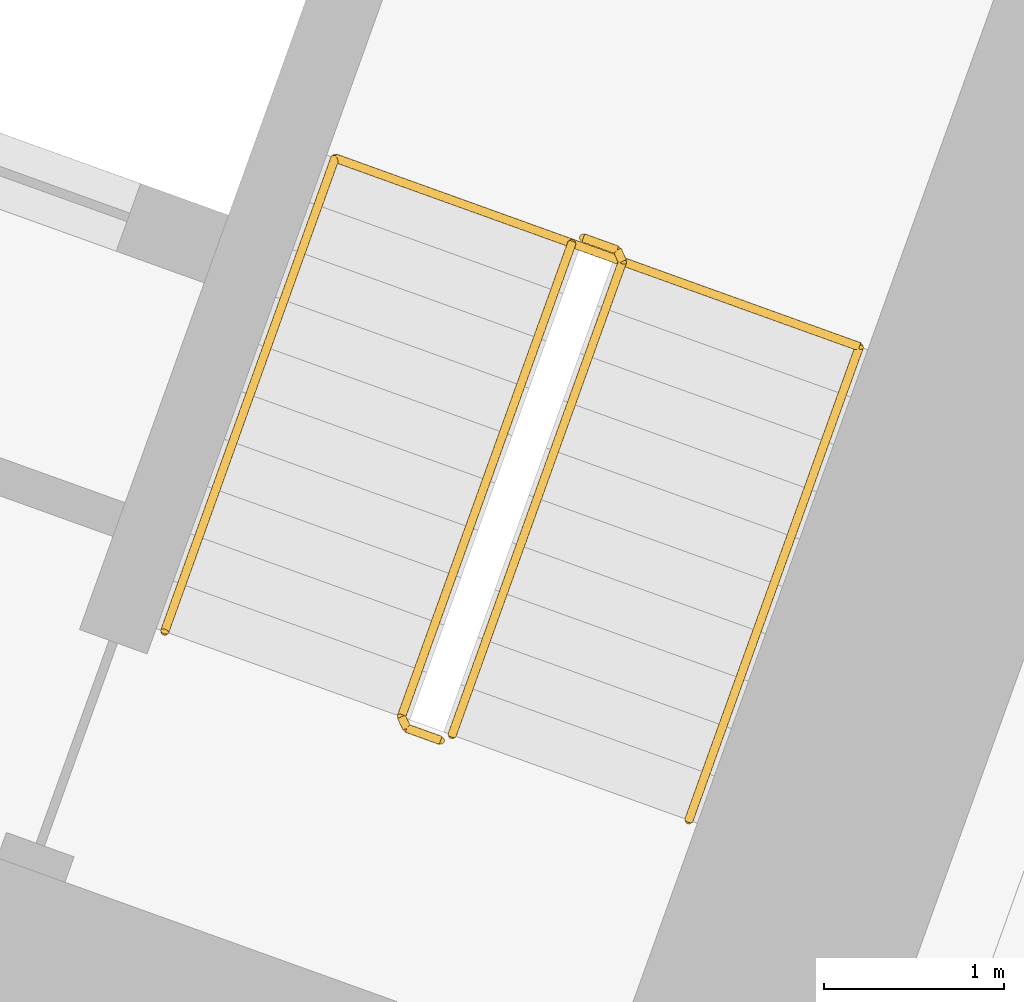
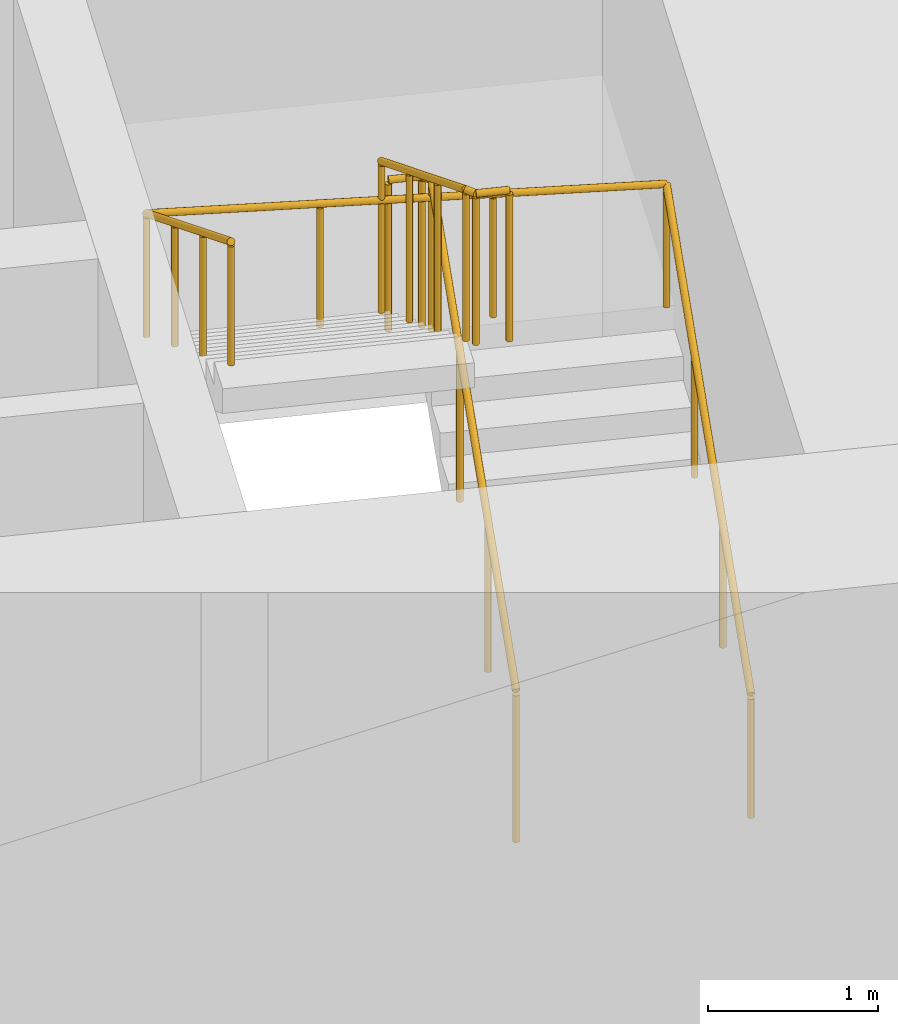
# One storey, part 22 of 22: 3 railings.
"""IFC4 building model written with IfcOpenShell, lengths in metres."""

from ifc_helpers import new_model, si_unit, direction, frame, origin, origin_2d, place, context, subcontext, project, spatial, circle, extrude, material, type_object, element, save


model = new_model("IFC4")

# Units and contexts
model_context = context("Model", 3, precision=1e-05, world=origin(), true_north=direction((0.0, 1.0)))
body_context = subcontext(model_context, "Body", "Model", "MODEL_VIEW")
ifc_project = project(units=[si_unit("LENGTHUNIT", "METRE"), si_unit("AREAUNIT", "SQUARE_METRE"), si_unit("VOLUMEUNIT", "CUBIC_METRE"), si_unit("PLANEANGLEUNIT", "RADIAN"), si_unit("MASSUNIT", "GRAM", prefix="KILO")], contexts=[model_context])

# Site, building, storey
site_placement = place(None, origin())
site = spatial("IfcSite", under=ifc_project, at=site_placement, CompositionType="ELEMENT")
building_placement = place(site_placement, origin())
building = spatial("IfcBuilding", under=site, at=building_placement, Name="Stone Belt Terrace Tower", CompositionType="ELEMENT")
storey_placement = place(building_placement, frame((0.0, 0.0, 132.60009765625)))
storey = spatial("IfcBuildingStorey", under=building, at=storey_placement, Name="L32", CompositionType="ELEMENT", Elevation=132.60009765625)

# Railings
ifc_material = material(Name="Structural steel C345", Category="steel")
railing_type_1 = type_object("IfcRailingType", Name="Stair guard 1100", PredefinedType="GUARDRAIL", material=ifc_material)
railing_1_placement = place(storey_placement, frame((24.494140625, 45.174560546875, 0.172607421875)))
element("IfcRailing", 1, at=railing_1_placement, inside=storey, type_object=railing_type_1, Name="L32 ST1B stair guard 1", PredefinedType="GUARDRAIL", context=body_context, shape_type="SweptSolid", body=[
    extrude(circle(Radius=0.02392578125, at=origin_2d()), frame((0.0, 0.0, 1.076171875), z_axis=(0.288228637646, 0.800791768495, 0.525030280985), x_axis=(-0.940908529223, 0.338660803216, 0.0)), (0.0, 0.0, 1.0), 3.289794921875),
    extrude(circle(Radius=0.02392578125, at=origin_2d()), frame((0.9482421875, 2.634521484375, 2.80322265625), z_axis=(-0.424964916, 0.905209821074, 0.0), x_axis=(-0.905209821074, -0.424964916, 0.0)), (0.0, 0.0, 1.0), 0.070556640625),
    extrude(circle(Radius=0.02392578125, at=origin_2d()), frame((0.918212890625, 2.698486328125, 2.80322265625), z_axis=(-0.941105063269, 0.338114270461, 0.0), x_axis=(-0.338114270461, -0.941105063269, 0.0)), (0.0, 0.0, 1.0), 0.199951171875),
    extrude(circle(Radius=0.02099609375, at=origin_2d()), origin(), (0.0, 0.0, 1.0), 1.052001953125),
    extrude(circle(Radius=0.02099609375, at=origin_2d()), frame((0.316162109375, 0.878173828125, 0.57568359375)), (0.0, 0.0, 1.0), 1.052001953125),
    extrude(circle(Radius=0.02099609375, at=origin_2d()), frame((0.632080078125, 1.75634765625, 1.151611328125)), (0.0, 0.0, 1.0), 1.052001953125),
    extrude(circle(Radius=0.02099609375, at=origin_2d()), frame((0.9482421875, 2.634521484375, 1.727294921875)), (0.0, 0.0, 1.0), 1.052001953125),
    extrude(circle(Radius=0.02099609375, at=origin_2d()), frame((0.918212890625, 2.698486328125, 1.727294921875)), (0.0, 0.0, 1.0), 1.052001953125),
    extrude(circle(Radius=0.02099609375, at=origin_2d()), frame((0.72998046875, 2.76611328125, 1.727294921875)), (0.0, 0.0, 1.0), 1.052001953125),
])
railing_2_placement = place(storey_placement, frame((25.16015625, 47.91064453125, 2.072509765625)))
element("IfcRailing", 2, at=railing_2_placement, inside=storey, type_object=railing_type_1, Name="L32 ST1B stair guard 2", PredefinedType="GUARDRAIL", context=body_context, shape_type="SweptSolid", body=[
    extrude(circle(Radius=0.02392578125, at=origin_2d()), frame((0.0, 0.0, 1.076171875), z_axis=(-0.288228637646, -0.800791768495, 0.525030280985), x_axis=(0.940908529223, -0.338660803216, 0.0)), (0.0, 0.0, 1.0), 3.289794921875),
    extrude(circle(Radius=0.02392578125, at=origin_2d()), frame((-0.9482421875, -2.634521484375, 2.80322265625), z_axis=(0.427789722475, -0.903878284585, 0.0), x_axis=(0.903878284585, 0.427789722475, 0.0)), (0.0, 0.0, 1.0), 0.07080078125),
    extrude(circle(Radius=0.02392578125, at=origin_2d()), frame((-0.91796875, -2.698486328125, 2.80322265625), z_axis=(0.940575576748, -0.339584429008, 0.0), x_axis=(0.339584429008, 0.940575576748, 0.0)), (0.0, 0.0, 1.0), 0.199951171875),
    extrude(circle(Radius=0.02099609375, at=origin_2d()), origin(), (0.0, 0.0, 1.0), 1.052001953125),
    extrude(circle(Radius=0.02099609375, at=origin_2d()), frame((-0.316162109375, -0.878173828125, 0.57568359375)), (0.0, 0.0, 1.0), 1.052001953125),
    extrude(circle(Radius=0.02099609375, at=origin_2d()), frame((-0.632080078125, -1.75634765625, 1.151611328125)), (0.0, 0.0, 1.0), 1.052001953125),
    extrude(circle(Radius=0.02099609375, at=origin_2d()), frame((-0.9482421875, -2.634521484375, 1.727294921875)), (0.0, 0.0, 1.0), 1.052001953125),
    extrude(circle(Radius=0.02099609375, at=origin_2d()), frame((-0.91796875, -2.698486328125, 1.727294921875)), (0.0, 0.0, 1.0), 1.052001953125),
    extrude(circle(Radius=0.02099609375, at=origin_2d()), frame((-0.72998046875, -2.766357421875, 1.727294921875)), (0.0, 0.0, 1.0), 1.052001953125),
])
railing_type_2 = type_object("IfcRailingType", Name="Stair handrail 900", PredefinedType="HANDRAIL", material=ifc_material)
railing_3_placement = place(storey_placement, frame((25.8115234375, 44.700439453125, 0.172607421875)))
element("IfcRailing", 3, at=railing_3_placement, inside=storey, type_object=railing_type_2, Name="L32 ST1B stair handrail 1", PredefinedType="HANDRAIL", context=body_context, shape_type="SweptSolid", body=[
    extrude(circle(Radius=0.02392578125, at=origin_2d()), frame((0.0, 0.0, 0.8759765625), z_axis=(0.288228637646, 0.800791768495, 0.525030280985), x_axis=(-0.940908529223, 0.338660803216, 0.0)), (0.0, 0.0, 1.0), 3.289794921875),
    extrude(circle(Radius=0.02392578125, at=origin_2d()), frame((0.9482421875, 2.634521484375, 2.60302734375), z_axis=(-0.939464517435, 0.338106580597, 0.055591012205), x_axis=(-0.338630230244, -0.940919532779, 0.0)), (0.0, 0.0, 1.0), 3.10498046875),
    extrude(circle(Radius=0.02392578125, at=origin_2d()), frame((-1.96875, 3.684326171875, 2.77587890625), z_axis=(-0.288160591223, -0.800808895155, 0.52504150989), x_axis=(0.940936311087, -0.338583606334, 0.0)), (0.0, 0.0, 1.0), 3.289794921875),
    extrude(circle(Radius=0.02099609375, at=origin_2d()), origin(), (0.0, 0.0, 1.0), 0.851806640625),
    extrude(circle(Radius=0.02099609375, at=origin_2d()), frame((0.316162109375, 0.878173828125, 0.57568359375)), (0.0, 0.0, 1.0), 0.851806640625),
    extrude(circle(Radius=0.02099609375, at=origin_2d()), frame((0.632080078125, 1.75634765625, 1.151611328125)), (0.0, 0.0, 1.0), 0.851806640625),
    extrude(circle(Radius=0.02099609375, at=origin_2d()), frame((0.9482421875, 2.634521484375, 1.727294921875)), (0.0, 0.0, 1.0), 0.851806640625),
    extrude(circle(Radius=0.02099609375, at=origin_2d()), frame((-0.024169921875, 2.984375, 1.784912109375)), (0.0, 0.0, 1.0), 0.851806640625),
    extrude(circle(Radius=0.02099609375, at=origin_2d()), frame((-0.996337890625, 3.33447265625, 1.84228515625)), (0.0, 0.0, 1.0), 0.851806640625),
    extrude(circle(Radius=0.02099609375, at=origin_2d()), frame((-1.96875, 3.684326171875, 1.89990234375)), (0.0, 0.0, 1.0), 0.851806640625),
    extrude(circle(Radius=0.02099609375, at=origin_2d()), frame((-2.28466796875, 2.80615234375, 2.4755859375)), (0.0, 0.0, 1.0), 0.851806640625),
    extrude(circle(Radius=0.02099609375, at=origin_2d()), frame((-2.600830078125, 1.927978515625, 3.051513671875)), (0.0, 0.0, 1.0), 0.851806640625),
    extrude(circle(Radius=0.02099609375, at=origin_2d()), frame((-2.916748046875, 1.0498046875, 3.627197265625)), (0.0, 0.0, 1.0), 0.851806640625),
])

save(model, "model.ifc")
